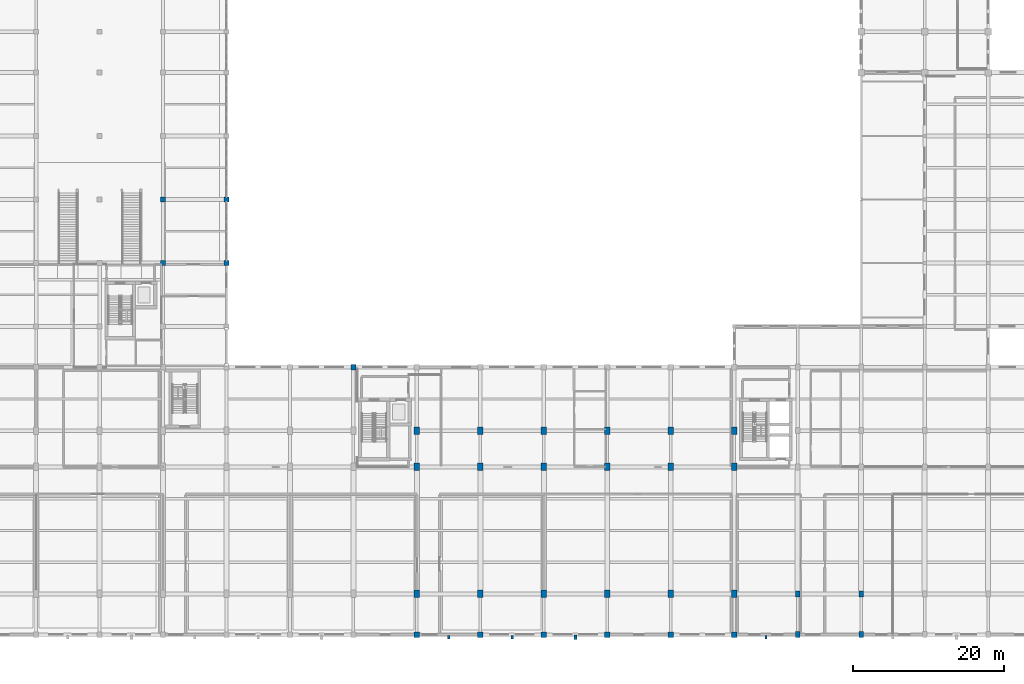
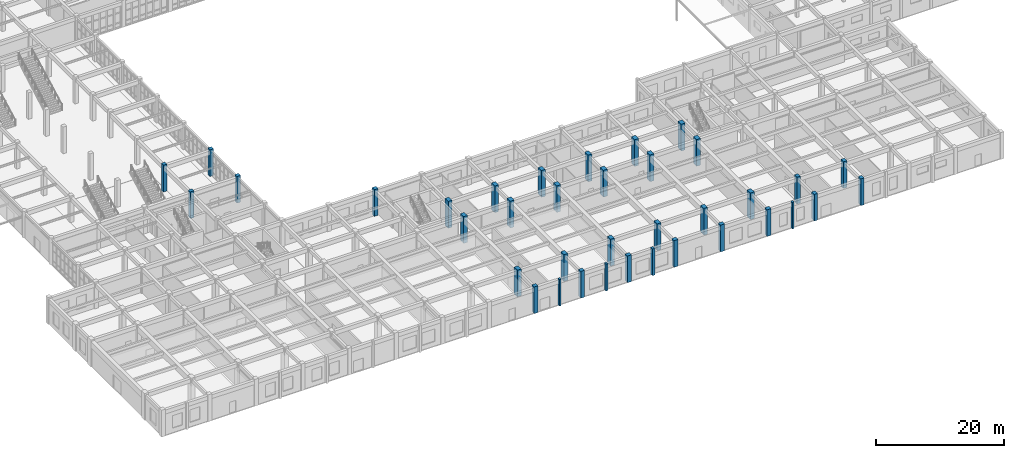
# One storey, part 8 of 80: 37 columns.
"""IFC4 building model written with IfcOpenShell, lengths in metres."""

import ifcopenshell
import ifcopenshell.guid

model = None  # the IFC model being written
_history = None  # IfcOwnerHistory: only IFC2X3 demands one
_inside = {}  # id of a spatial element -> (the spatial element, [elements in it])
_under = {}  # id of a project, library or spatial element -> (it, [spatial elements below it])
_declared = {}  # id of a project -> (the project, [libraries it declares])
_typed = {}  # id of a type object -> (the type object, [elements of that type])
_made_of = {}  # id of a material, layer set ... -> (it, [elements and type objects made of it])


def new_model(schema):
    """Start an empty IFC model of exactly this schema.

    Asked for "IFC4X3", IfcOpenShell would pick the latest addendum, in which some entities
    have other attributes; the version numbers below select the first issue.
    IFC2X3 requires an IfcOwnerHistory on every rooted entity: one is made here for all.
    """
    global model, _history
    if schema == "IFC4X3":
        model = ifcopenshell.file(schema_version=(4, 3, 0, 0))
    else:
        model = ifcopenshell.file(schema=schema)
    _inside.clear()
    _under.clear()
    _declared.clear()
    _typed.clear()
    _made_of.clear()
    _history = None
    if model.schema == "IFC2X3":
        org = make("IfcOrganization", Name="unknown")
        user = make(
            "IfcPersonAndOrganization",
            ThePerson=make("IfcPerson", FamilyName="unknown"),
            TheOrganization=org,
        )
        app = make(
            "IfcApplication",
            ApplicationDeveloper=org,
            Version="unknown",
            ApplicationFullName="unknown",
            ApplicationIdentifier="unknown",
        )
        _history = make(
            "IfcOwnerHistory",
            OwningUser=user,
            OwningApplication=app,
            ChangeAction="ADDED",
            CreationDate=0,
        )
    return model


def make(cls, **values):
    """One entity of the class cls with the attributes given. An attribute that is None is left unset."""
    return model.create_entity(
        cls, **{name: value for name, value in values.items() if value is not None}
    )


def rooted(cls, **values):
    """An entity with a GlobalId (a new one), such as an element, a storey or a relation."""
    return make(cls, GlobalId=ifcopenshell.guid.new(), OwnerHistory=_history, **values)


def si_unit(unit_type, name, prefix=None):
    """IfcSIUnit, for example si_unit("LENGTHUNIT", "METRE", prefix="MILLI")."""
    return make("IfcSIUnit", UnitType=unit_type, Prefix=prefix, Name=name)


def assignment(units):
    """IfcUnitAssignment: the units of a project."""
    return None if units is None else make("IfcUnitAssignment", Units=units)


def point(xyz):
    """IfcCartesianPoint."""
    return None if xyz is None else make("IfcCartesianPoint", Coordinates=xyz)


def direction(xyz):
    """IfcDirection."""
    return None if xyz is None else make("IfcDirection", DirectionRatios=xyz)


def frame(location, z_axis=None, x_axis=None):
    """IfcAxis2Placement3D, a coordinate frame: its origin and axes. An axis left out is left unset."""
    return make(
        "IfcAxis2Placement3D",
        Location=point(location),
        Axis=direction(z_axis),
        RefDirection=direction(x_axis),
    )


def frame_2d(location, x_axis=None):
    """IfcAxis2Placement2D, a coordinate frame in the plane: its origin and x axis."""
    return make(
        "IfcAxis2Placement2D", Location=point(location), RefDirection=direction(x_axis)
    )


def origin():
    """The frame at (0, 0, 0) with its axes left unset."""
    return frame((0.0, 0.0, 0.0))


def origin_2d():
    """The frame at (0, 0) in the plane with its x axis left unset."""
    return frame_2d((0.0, 0.0))


def place(relative_to, where):
    """IfcLocalPlacement: puts the frame where relative to a parent placement (None: the world)."""
    return make(
        "IfcLocalPlacement", PlacementRelTo=relative_to, RelativePlacement=where
    )


def context(
    kind, dimensions, precision=None, world=None, true_north=None, identifier=None
):
    """IfcGeometricRepresentationContext, for example the 3D "Model" context."""
    return make(
        "IfcGeometricRepresentationContext",
        ContextIdentifier=identifier,
        ContextType=kind,
        CoordinateSpaceDimension=dimensions,
        Precision=precision,
        WorldCoordinateSystem=world,
        TrueNorth=true_north,
    )


def subcontext(parent, identifier, kind, view, scale=None):
    """IfcGeometricRepresentationSubContext, for example "Body" below "Model"."""
    return make(
        "IfcGeometricRepresentationSubContext",
        ContextIdentifier=identifier,
        ContextType=kind,
        ParentContext=parent,
        TargetScale=scale,
        TargetView=view,
    )


def project(units=None, contexts=None):
    """IfcProject with its units and contexts."""
    return rooted(
        "IfcProject",
        Name="project",
        RepresentationContexts=contexts,
        UnitsInContext=assignment(units),
    )


def spatial(cls, under=None, at=None, **own):
    """A site, building, storey or space (cls), placed at a placement, below another one or the project."""
    s = rooted(cls, ObjectPlacement=at, **own)
    if under is not None:
        _under.setdefault(under.id(), (under, []))[1].append(s)
    return s


def profile(cls, at=None, kind="AREA", **sizes):
    """A parametric profile (cls). Its sizes go by their IFC names, for example OverallWidth=200.0."""
    return make(cls, ProfileType=kind, Position=at, **sizes)


def rectangle(**sizes):
    """IfcRectangleProfileDef."""
    return profile("IfcRectangleProfileDef", **sizes)


def extrude(swept, where, along, depth):
    """IfcExtrudedAreaSolid: the profile swept, set in the frame where, extruded along a direction by depth."""
    return make(
        "IfcExtrudedAreaSolid",
        SweptArea=swept,
        Position=where,
        ExtrudedDirection=direction(along),
        Depth=depth,
    )


def shape(context_of_items, identifier, shape_type, items):
    """IfcShapeRepresentation: the items that make up one representation, for example the "Body"."""
    return make(
        "IfcShapeRepresentation",
        ContextOfItems=context_of_items,
        RepresentationIdentifier=identifier,
        RepresentationType=shape_type,
        Items=items,
    )


def material(Name=None, Category=None):
    """IfcMaterial."""
    return make("IfcMaterial", Name=Name, Category=Category)


def material_profile(
    of_material, cross_section, Name=None, Category=None, Priority=None
):
    """IfcMaterialProfile: a cross section and its material."""
    return make(
        "IfcMaterialProfile",
        Name=Name,
        Material=of_material,
        Profile=cross_section,
        Priority=Priority,
        Category=Category,
    )


def profile_set(profiles, Name=None, composite=None):
    """IfcMaterialProfileSet."""
    return make(
        "IfcMaterialProfileSet",
        Name=Name,
        MaterialProfiles=profiles,
        CompositeProfile=composite,
    )


def made_of(thing, what):
    """Note that an element or type object is made of a material, layer set ...; save() writes the relation."""
    if what is not None:
        _made_of.setdefault(what.id(), (what, []))[1].append(thing)
    return thing


def type_object(cls, material=None, **own):
    """A type object (cls), such as IfcWallType, which elements share."""
    return made_of(rooted(cls, **own), material)


def element(
    cls,
    number,
    at=None,
    inside=None,
    cuts=None,
    type_object=None,
    material=None,
    context=None,
    identifier="Body",
    shape_type=None,
    held_by="IfcProductDefinitionShape",
    body=None,
    shapes=None,
    **own,
):
    """One element of the class cls, such as IfcWall. Its Tag is "e" and its number.

    at: its placement. inside: the storey or other place that contains it. cuts: it is an
    opening in that element (IfcRelVoidsElement). A single representation is given by context,
    identifier, shape_type and body (its items); several are given by shapes. held_by: the class
    of the entity that holds the representations. save() writes the other relations.
    """
    e = rooted(cls, Tag="e%d" % number, ObjectPlacement=at, **own)
    if body is not None:
        shapes = [shape(context, identifier, shape_type, body)]
    if shapes is not None:
        e.Representation = make(held_by, Representations=shapes)
    if inside is not None:
        _inside.setdefault(inside.id(), (inside, []))[1].append(e)
    if cuts is not None:
        rooted(
            "IfcRelVoidsElement", RelatingBuildingElement=cuts, RelatedOpeningElement=e
        )
    if type_object is not None:
        _typed.setdefault(type_object.id(), (type_object, []))[1].append(e)
    return made_of(e, material)


def aggregate(whole, parts):
    """IfcRelAggregates: a whole, such as a stair, and the parts it consists of."""
    return rooted("IfcRelAggregates", RelatingObject=whole, RelatedObjects=parts)


def save(model, path):
    """Write the relations noted so far, then the file.

    IfcRelAggregates (storeys below a building ...), IfcRelContainedInSpatialStructure (elements
    in a storey), IfcRelDefinesByType, IfcRelAssociatesMaterial and IfcRelDeclares: one each for
    every whole, place, type object, material and project.
    """
    for whole, parts in _under.values():
        aggregate(whole, parts)
    for where, things in _inside.values():
        rooted(
            "IfcRelContainedInSpatialStructure",
            RelatedElements=things,
            RelatingStructure=where,
        )
    for kind, things in _typed.values():
        rooted("IfcRelDefinesByType", RelatedObjects=things, RelatingType=kind)
    for what, things in _made_of.values():
        rooted("IfcRelAssociatesMaterial", RelatedObjects=things, RelatingMaterial=what)
    for by, libraries in _declared.values():
        rooted("IfcRelDeclares", RelatingContext=by, RelatedDefinitions=libraries)
    model.write(path)


model = new_model("IFC4")

# Units and contexts
model_context = context("Model", 3, precision=1e-05, world=origin(), true_north=direction((0.0, 1.0)))
body_context = subcontext(model_context, "Body", "Model", "MODEL_VIEW")
ifc_project = project(units=[si_unit("LENGTHUNIT", "METRE"), si_unit("AREAUNIT", "SQUARE_METRE"), si_unit("VOLUMEUNIT", "CUBIC_METRE"), si_unit("PLANEANGLEUNIT", "RADIAN"), si_unit("MASSUNIT", "GRAM", prefix="KILO")], contexts=[model_context])

# Site, building, storey
site_placement = place(None, origin())
site = spatial("IfcSite", under=ifc_project, at=site_placement, CompositionType="ELEMENT")
building_placement = place(site_placement, origin())
building = spatial("IfcBuilding", under=site, at=building_placement, Name="Krzemoval Escarpment Law Courts", CompositionType="ELEMENT")
storey_placement = place(building_placement, origin())
storey = spatial("IfcBuildingStorey", under=building, at=storey_placement, Name="L00", CompositionType="ELEMENT", Elevation=0.0)

# Columns
ifc_material_1 = material(Name="Concrete C40/50", Category="concrete")
ifc_material_profile_1 = material_profile(ifc_material_1, rectangle(XDim=0.60009765625, YDim=0.800048828125, at=origin_2d()), Name="RC 600x800")
ifc_profile_set_1 = profile_set([ifc_material_profile_1], Name="Concrete C40/50")
column_type_1 = type_object("IfcColumnType", Name="COL-RC-600x800", PredefinedType="COLUMN", material=ifc_profile_set_1)
for number, where, z_axis, x_axis, name in (
    (1, (117.60009765625, 0.0, 0.0), (0.0, 0.0, 1.0), (1.0, 0.0, 0.0), "Column FC-L00-0431"),
    (2, (117.60009765625, 5.39990234375, 0.0), (0.0, 0.0, 1.0), (1.0, 0.0, 0.0), "Column FC-L00-0432"),
    (3, (126.0, 0.0, 0.0), (0.0, 0.0, 1.0), (1.0, 0.0, 0.0), "Column FC-L00-0440"),
    (4, (126.0, 5.39990234375, 0.0), (0.0, 0.0, 1.0), (1.0, 0.0, 0.0), "Column FC-L00-0441"),
):
    element("IfcColumn", number, at=place(storey_placement, frame(where, z_axis=z_axis, x_axis=x_axis)), inside=storey, type_object=column_type_1, Name=name, PredefinedType="COLUMN", context=body_context, shape_type="SweptSolid", body=[
        extrude(rectangle(XDim=0.60009765625, YDim=0.800048828125, at=origin_2d()), origin(), (0.0, 0.0, 1.0), 5.10009765625),
    ])
ifc_material_2 = material(Name="Concrete C40/50", Category="concrete")
ifc_material_profile_2 = material_profile(ifc_material_2, rectangle(XDim=0.64990234375, YDim=0.64990234375, at=origin_2d()), Name="RC 650x650")
ifc_profile_set_2 = profile_set([ifc_material_profile_2], Name="Concrete C40/50")
column_type_2 = type_object("IfcColumnType", Name="COL-RC-650", PredefinedType="COLUMN", material=ifc_profile_set_2)
for number, where, z_axis, x_axis, name in (
    (5, (33.60009765625, 49.199951171875, 0.0), (0.0, 0.0, 1.0), (1.0, 0.0, 0.0), "Column FC-L00-0338"),
    (6, (33.60009765625, 57.60009765625, 0.0), (0.0, 0.0, 1.0), (1.0, 0.0, 0.0), "Column FC-L00-0339"),
    (7, (42.0, 49.199951171875, 0.0), (0.0, 0.0, 1.0), (1.0, 0.0, 0.0), "Column FC-L00-0355"),
    (8, (42.0, 57.60009765625, 0.0), (0.0, 0.0, 1.0), (1.0, 0.0, 0.0), "Column FC-L00-0356"),
):
    element("IfcColumn", number, at=place(storey_placement, frame(where, z_axis=z_axis, x_axis=x_axis)), inside=storey, type_object=column_type_2, Name=name, PredefinedType="COLUMN", context=body_context, shape_type="SweptSolid", body=[
        extrude(rectangle(XDim=0.64990234375, YDim=0.64990234375, at=origin_2d()), origin(), (0.0, 0.0, 1.0), 5.10009765625),
    ])
ifc_material_3 = material(Name="Concrete C40/50", Category="concrete")
ifc_material_profile_3 = material_profile(ifc_material_3, rectangle(XDim=0.699951171875, YDim=0.699951171875, at=origin_2d()), Name="RC 700x700")
ifc_profile_set_3 = profile_set([ifc_material_profile_3], Name="Concrete C40/50")
column_type_3 = type_object("IfcColumnType", Name="COL-RC-700", PredefinedType="COLUMN", material=ifc_profile_set_3)
for number, where, z_axis, x_axis, name in (
    (9, (58.800048828125, 35.39990234375, 0.0), (0.0, 0.0, 1.0), (1.0, 0.0, 0.0), "Column FC-L00-0378"),
    (10, (67.199951171875, 0.0, 0.0), (0.0, 0.0, 1.0), (1.0, 0.0, 0.0), "Column FC-L00-0382"),
    (11, (75.60009765625, 0.0, 0.0), (0.0, 0.0, 1.0), (1.0, 0.0, 0.0), "Column FC-L00-0390"),
    (12, (84.0, 0.0, 0.0), (0.0, 0.0, 1.0), (1.0, 0.0, 0.0), "Column FC-L00-0398"),
    (13, (92.39990234375, 0.0, 0.0), (0.0, 0.0, 1.0), (1.0, 0.0, 0.0), "Column FC-L00-0406"),
    (14, (100.800048828125, 0.0, 0.0), (0.0, 0.0, 1.0), (1.0, 0.0, 0.0), "Column FC-L00-0414"),
    (15, (109.199951171875, 0.0, 0.0), (0.0, 0.0, 1.0), (1.0, 0.0, 0.0), "Column FC-L00-0422"),
):
    element("IfcColumn", number, at=place(storey_placement, frame(where, z_axis=z_axis, x_axis=x_axis)), inside=storey, type_object=column_type_3, Name=name, PredefinedType="COLUMN", context=body_context, shape_type="SweptSolid", body=[
        extrude(rectangle(XDim=0.699951171875, YDim=0.699951171875, at=origin_2d()), origin(), (0.0, 0.0, 1.0), 5.10009765625),
    ])
ifc_material_4 = material(Name="Concrete C50/60", Category="concrete")
ifc_material_profile_4 = material_profile(ifc_material_4, rectangle(XDim=0.699951171875, YDim=1.0, at=origin_2d()), Name="RC 700x1000")
ifc_profile_set_4 = profile_set([ifc_material_profile_4], Name="Concrete C50/60")
column_type_4 = type_object("IfcColumnType", Name="COL-RC-700x1000", PredefinedType="COLUMN", material=ifc_profile_set_4)
for number, where, z_axis, x_axis, name in (
    (16, (67.199951171875, 5.39990234375, 0.0), (0.0, 0.0, 1.0), (1.0, 0.0, 0.0), "Column FC-L00-0383"),
    (17, (67.199951171875, 22.199951171875, 0.0), (0.0, 0.0, 1.0), (1.0, 0.0, 0.0), "Column FC-L00-0384"),
    (18, (67.199951171875, 27.0, 0.0), (0.0, 0.0, 1.0), (1.0, 0.0, 0.0), "Column FC-L00-0385"),
    (19, (75.60009765625, 5.39990234375, 0.0), (0.0, 0.0, 1.0), (1.0, 0.0, 0.0), "Column FC-L00-0391"),
    (20, (75.60009765625, 22.199951171875, 0.0), (0.0, 0.0, 1.0), (1.0, 0.0, 0.0), "Column FC-L00-0392"),
    (21, (75.60009765625, 27.0, 0.0), (0.0, 0.0, 1.0), (1.0, 0.0, 0.0), "Column FC-L00-0393"),
    (22, (84.0, 5.39990234375, 0.0), (0.0, 0.0, 1.0), (1.0, 0.0, 0.0), "Column FC-L00-0399"),
    (23, (84.0, 22.199951171875, 0.0), (0.0, 0.0, 1.0), (1.0, 0.0, 0.0), "Column FC-L00-0400"),
    (24, (84.0, 27.0, 0.0), (0.0, 0.0, 1.0), (1.0, 0.0, 0.0), "Column FC-L00-0401"),
    (25, (92.39990234375, 5.39990234375, 0.0), (0.0, 0.0, 1.0), (1.0, 0.0, 0.0), "Column FC-L00-0407"),
    (26, (92.39990234375, 22.199951171875, 0.0), (0.0, 0.0, 1.0), (1.0, 0.0, 0.0), "Column FC-L00-0408"),
    (27, (92.39990234375, 27.0, 0.0), (0.0, 0.0, 1.0), (1.0, 0.0, 0.0), "Column FC-L00-0409"),
    (28, (100.800048828125, 5.39990234375, 0.0), (0.0, 0.0, 1.0), (1.0, 0.0, 0.0), "Column FC-L00-0415"),
    (29, (100.800048828125, 22.199951171875, 0.0), (0.0, 0.0, 1.0), (1.0, 0.0, 0.0), "Column FC-L00-0416"),
    (30, (100.800048828125, 27.0, 0.0), (0.0, 0.0, 1.0), (1.0, 0.0, 0.0), "Column FC-L00-0417"),
    (31, (109.199951171875, 5.39990234375, 0.0), (0.0, 0.0, 1.0), (1.0, 0.0, 0.0), "Column FC-L00-0423"),
    (32, (109.199951171875, 22.199951171875, 0.0), (0.0, 0.0, 1.0), (1.0, 0.0, 0.0), "Column FC-L00-0424"),
    (33, (109.199951171875, 27.0, 0.0), (0.0, 0.0, 1.0), (1.0, 0.0, 0.0), "Column FC-L00-0425"),
):
    element("IfcColumn", number, at=place(storey_placement, frame(where, z_axis=z_axis, x_axis=x_axis)), inside=storey, type_object=column_type_4, Name=name, PredefinedType="COLUMN", context=body_context, shape_type="SweptSolid", body=[
        extrude(rectangle(XDim=0.699951171875, YDim=1.0, at=origin_2d()), origin(), (0.0, 0.0, 1.0), 5.10009765625),
    ])
ifc_material_5 = material(Name="Precast concrete C40/50", Category="concrete")
ifc_material_profile_5 = material_profile(ifc_material_5, rectangle(XDim=0.300048828125, YDim=0.449951171875, at=origin_2d()), Name="PIL 300x450")
ifc_profile_set_5 = profile_set([ifc_material_profile_5], Name="Precast concrete C40/50")
column_type_5 = type_object("IfcColumnType", Name="PIL-PC-300x450", PredefinedType="PILASTER", material=ifc_profile_set_5)
for number, where, z_axis, x_axis, name in (
    (34, (71.39990234375, -0.35009765625, 0.0), (0.0, 0.0, 1.0), (1.0, 0.0, 0.0), "Facade Pilaster PIL-L00-032"),
    (35, (113.39990234375, -0.35009765625, 0.0), (0.0, 0.0, 1.0), (1.0, 0.0, 0.0), "Facade Pilaster PIL-L00-047"),
):
    element("IfcColumn", number, at=place(storey_placement, frame(where, z_axis=z_axis, x_axis=x_axis)), inside=storey, type_object=column_type_5, Name=name, PredefinedType="PILASTER", context=body_context, shape_type="SweptSolid", body=[
        extrude(rectangle(XDim=0.300048828125, YDim=0.449951171875, at=origin_2d()), origin(), (0.0, 0.0, 1.0), 5.10009765625),
    ])
ifc_material_6 = material(Name="Precast concrete C40/50", Category="concrete")
ifc_material_profile_6 = material_profile(ifc_material_6, rectangle(XDim=0.35009765625, YDim=0.5, at=origin_2d()), Name="PIL 350x500")
ifc_profile_set_6 = profile_set([ifc_material_profile_6], Name="Precast concrete C40/50")
column_type_6 = type_object("IfcColumnType", Name="PIL-PC-350x500", PredefinedType="PILASTER", material=ifc_profile_set_6)
column_1_placement = place(storey_placement, frame((79.800048828125, -0.35009765625, 0.0), z_axis=(0.0, 0.0, 1.0), x_axis=(1.0, 0.0, 0.0)))
element("IfcColumn", 36, at=column_1_placement, inside=storey, type_object=column_type_6, Name="Facade Pilaster PIL-L00-037", PredefinedType="PILASTER", context=body_context, shape_type="SweptSolid", body=[
    extrude(rectangle(XDim=0.35009765625, YDim=0.5, at=origin_2d()), origin(), (0.0, 0.0, 1.0), 5.10009765625),
])
ifc_material_7 = material(Name="Precast concrete C40/50", Category="concrete")
ifc_material_profile_7 = material_profile(ifc_material_7, rectangle(XDim=0.39990234375, YDim=0.60009765625, at=origin_2d()), Name="PIL 400x600")
ifc_profile_set_7 = profile_set([ifc_material_profile_7], Name="Precast concrete C40/50")
column_type_7 = type_object("IfcColumnType", Name="PIL-PC-400x600", PredefinedType="PILASTER", material=ifc_profile_set_7)
column_2_placement = place(storey_placement, frame((88.199951171875, -0.35009765625, 0.0), z_axis=(0.0, 0.0, 1.0), x_axis=(1.0, 0.0, 0.0)))
element("IfcColumn", 37, at=column_2_placement, inside=storey, type_object=column_type_7, Name="Facade Pilaster PIL-L00-042", PredefinedType="PILASTER", context=body_context, shape_type="SweptSolid", body=[
    extrude(rectangle(XDim=0.39990234375, YDim=0.60009765625, at=origin_2d()), origin(), (0.0, 0.0, 1.0), 5.10009765625),
])

save(model, "model.ifc")
